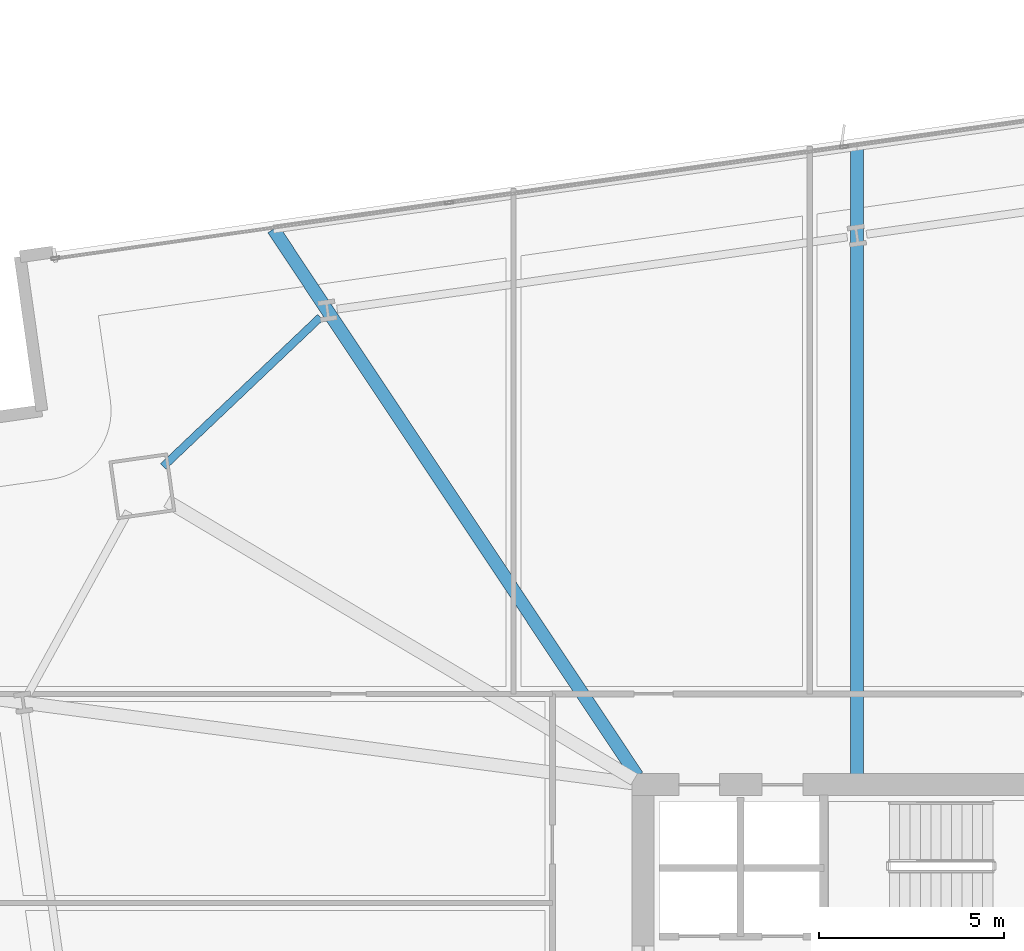
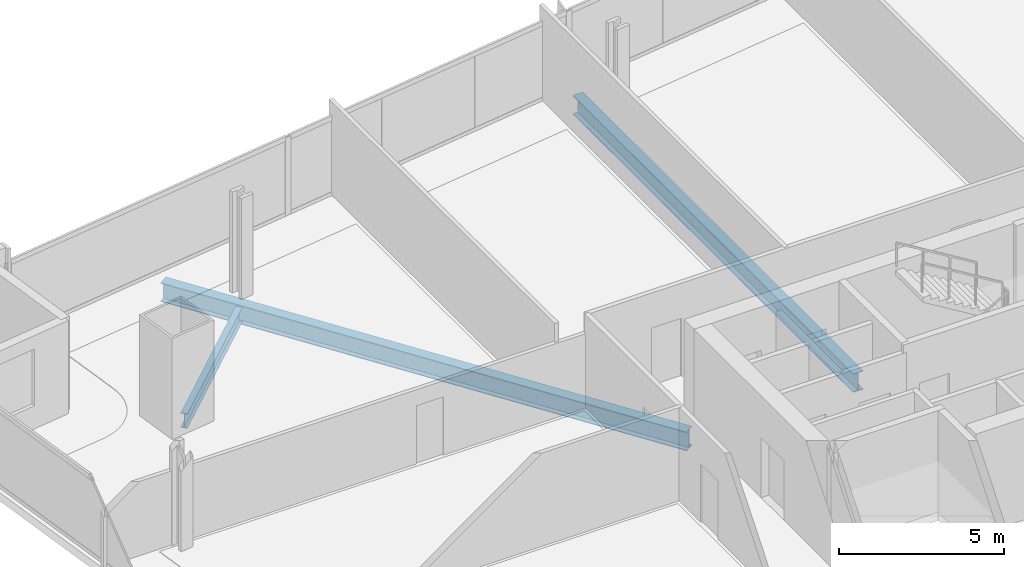
# One storey, part 17 of 33: 3 beams.
"""IFC4 building model written with IfcOpenShell, lengths in metres."""

from ifc_helpers import new_model, si_unit, direction, frame, origin, origin_2d, place, context, subcontext, project, spatial, i_section, extrude, material, material_profile, profile_set, type_object, element, save


model = new_model("IFC4")

# Units and contexts
model_context = context("Model", 3, precision=1e-05, world=origin(), true_north=direction((0.0, 1.0)))
body_context = subcontext(model_context, "Body", "Model", "MODEL_VIEW")
ifc_project = project(units=[si_unit("LENGTHUNIT", "METRE"), si_unit("AREAUNIT", "SQUARE_METRE"), si_unit("VOLUMEUNIT", "CUBIC_METRE"), si_unit("PLANEANGLEUNIT", "RADIAN"), si_unit("MASSUNIT", "GRAM", prefix="KILO")], contexts=[model_context])

# Site, building, storey
site_placement = place(None, origin())
site = spatial("IfcSite", under=ifc_project, at=site_placement, CompositionType="ELEMENT")
building_placement = place(site_placement, origin())
building = spatial("IfcBuilding", under=site, at=building_placement, Name="Haldenkirk Collegiate Tower", CompositionType="ELEMENT")
storey_placement = place(building_placement, frame((0.0, 0.0, 55.199951171875)))
storey = spatial("IfcBuildingStorey", under=building, at=storey_placement, Name="L12", CompositionType="ELEMENT", Elevation=55.199951171875)

# Beams
ifc_material = material(Name="Steel ASTM A992 Grade 50", Category="steel")
ifc_material_profile_1 = material_profile(ifc_material, i_section(OverallWidth=0.35498046875, OverallDepth=0.696044921875, WebThickness=0.015380859375, FlangeThickness=0.02490234375, at=origin_2d()), Name="W27X146")
ifc_profile_set_1 = profile_set([ifc_material_profile_1], Name="Steel ASTM A992 Grade 50")
beam_type_1 = type_object("IfcBeamType", Name="BM-GIRDER-W27X146", PredefinedType="BEAM", material=ifc_profile_set_1)
beam_1_placement = place(storey_placement, frame((32.772216796875, 51.2265625, -0.657958984375), z_axis=(0.0, -1.0, 0.0), x_axis=(1.0, 0.0, 0.0)))
element("IfcBeam", 1, at=beam_1_placement, inside=storey, type_object=beam_type_1, Name="L12 primary floor girder 12", PredefinedType="BEAM", context=body_context, shape_type="SweptSolid", body=[
    extrude(i_section(OverallWidth=0.35498046875, OverallDepth=0.696044921875, WebThickness=0.015380859375, FlangeThickness=0.02490234375, at=origin_2d()), origin(), (0.0, 0.0, 1.0), 16.946533203125),
])
beam_2_placement = place(storey_placement, frame((17.01611328125, 48.998046875, -0.657958984375), z_axis=(0.554128312131, -0.832431266649, 0.0), x_axis=(0.832431266649, 0.554128312131, 0.0)))
element("IfcBeam", 2, at=beam_2_placement, inside=storey, type_object=beam_type_1, Name="L12 primary floor girder 13", PredefinedType="BEAM", context=body_context, shape_type="SweptSolid", body=[
    extrude(i_section(OverallWidth=0.35498046875, OverallDepth=0.696044921875, WebThickness=0.015380859375, FlangeThickness=0.02490234375, at=origin_2d()), origin(), (0.0, 0.0, 1.0), 17.737060546875),
])
ifc_material_profile_2 = material_profile(ifc_material, i_section(OverallWidth=0.2119140625, OverallDepth=0.5439453125, WebThickness=0.01318359375, FlangeThickness=0.021240234375, at=origin_2d()), Name="W21X83")
ifc_profile_set_2 = profile_set([ifc_material_profile_2], Name="Steel ASTM A992 Grade 50")
beam_type_2 = type_object("IfcBeamType", Name="BM-SPANDREL-W21X83", PredefinedType="SPANDREL", material=ifc_profile_set_2)
beam_3_placement = place(storey_placement, frame((18.28662109375, 46.619140625, -0.58203125), z_axis=(-0.725132817178, -0.688609030911, 0.0), x_axis=(0.688609030911, -0.725132817178, 0.0)))
element("IfcBeam", 3, at=beam_3_placement, inside=storey, type_object=beam_type_2, Name="L12 perimeter spandrel beam 12", PredefinedType="SPANDREL", context=body_context, shape_type="SweptSolid", body=[
    extrude(i_section(OverallWidth=0.2119140625, OverallDepth=0.5439453125, WebThickness=0.01318359375, FlangeThickness=0.021240234375, at=origin_2d()), origin(), (0.0, 0.0, 1.0), 5.848876953125),
])

save(model, "model.ifc")
